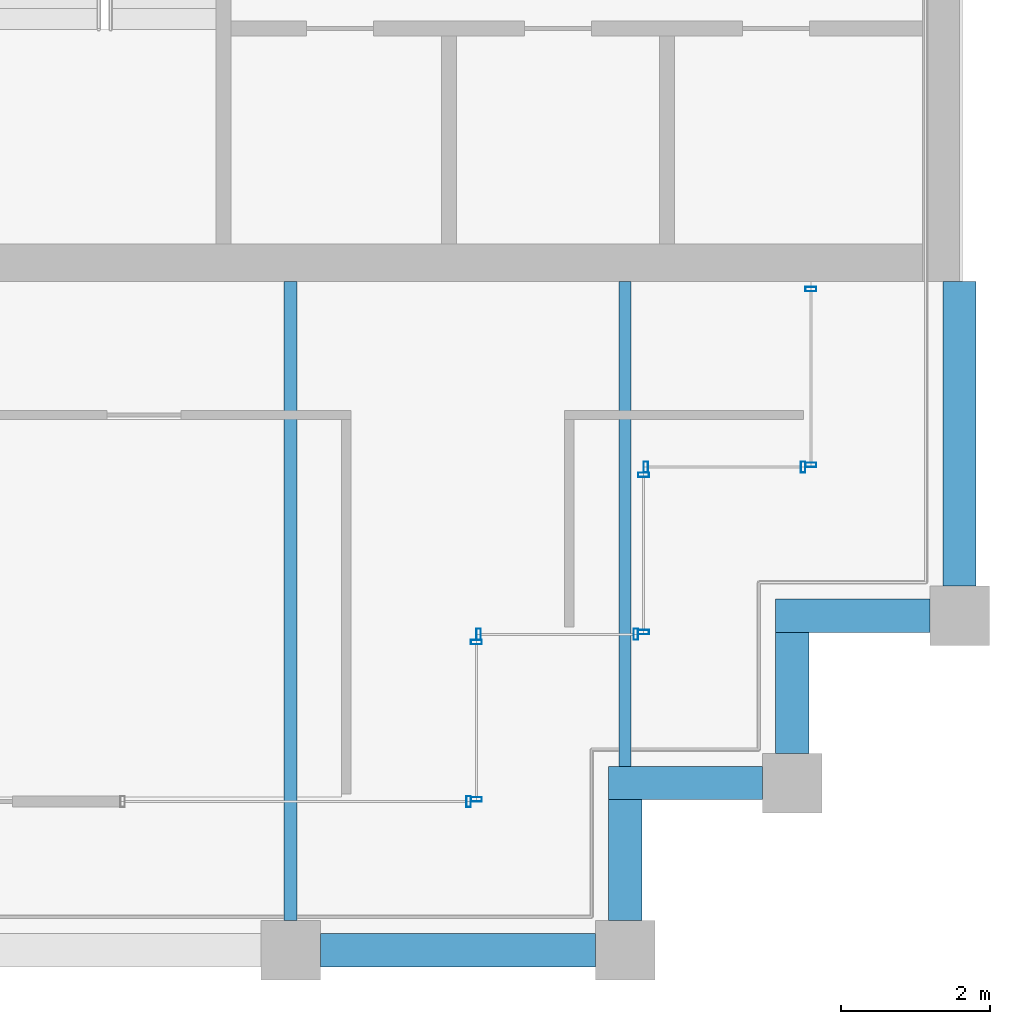
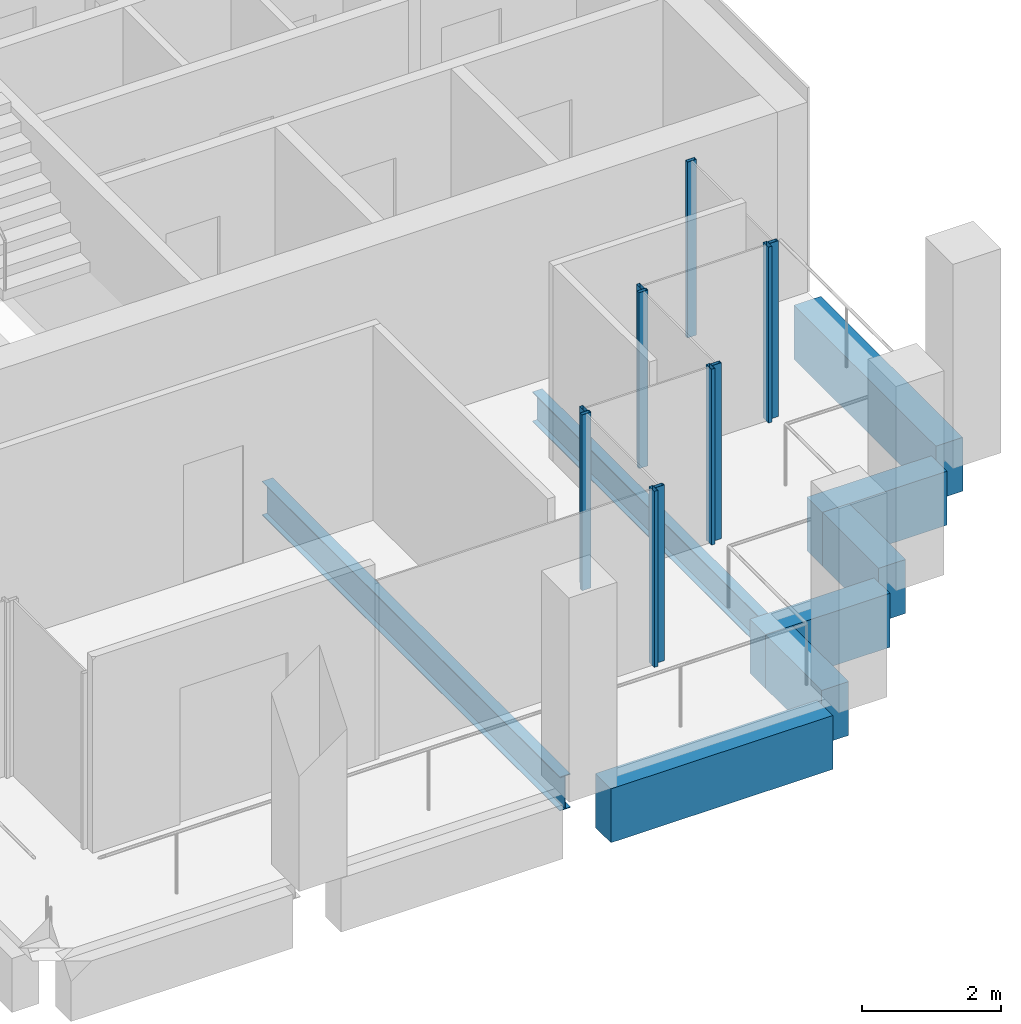
# One storey, part 31 of 40: 11 members, 8 beams, 6 elements without a shape of their own.
"""IFC4 building model written with IfcOpenShell, lengths in metres."""

import ifcopenshell
import ifcopenshell.guid

model = None  # the IFC model being written
_history = None  # IfcOwnerHistory: only IFC2X3 demands one
_inside = {}  # id of a spatial element -> (the spatial element, [elements in it])
_under = {}  # id of a project, library or spatial element -> (it, [spatial elements below it])
_declared = {}  # id of a project -> (the project, [libraries it declares])
_typed = {}  # id of a type object -> (the type object, [elements of that type])
_made_of = {}  # id of a material, layer set ... -> (it, [elements and type objects made of it])


def new_model(schema):
    """Start an empty IFC model of exactly this schema.

    Asked for "IFC4X3", IfcOpenShell would pick the latest addendum, in which some entities
    have other attributes; the version numbers below select the first issue.
    IFC2X3 requires an IfcOwnerHistory on every rooted entity: one is made here for all.
    """
    global model, _history
    if schema == "IFC4X3":
        model = ifcopenshell.file(schema_version=(4, 3, 0, 0))
    else:
        model = ifcopenshell.file(schema=schema)
    _inside.clear()
    _under.clear()
    _declared.clear()
    _typed.clear()
    _made_of.clear()
    _history = None
    if model.schema == "IFC2X3":
        org = make("IfcOrganization", Name="unknown")
        user = make(
            "IfcPersonAndOrganization",
            ThePerson=make("IfcPerson", FamilyName="unknown"),
            TheOrganization=org,
        )
        app = make(
            "IfcApplication",
            ApplicationDeveloper=org,
            Version="unknown",
            ApplicationFullName="unknown",
            ApplicationIdentifier="unknown",
        )
        _history = make(
            "IfcOwnerHistory",
            OwningUser=user,
            OwningApplication=app,
            ChangeAction="ADDED",
            CreationDate=0,
        )
    return model


def make(cls, **values):
    """One entity of the class cls with the attributes given. An attribute that is None is left unset."""
    return model.create_entity(
        cls, **{name: value for name, value in values.items() if value is not None}
    )


def rooted(cls, **values):
    """An entity with a GlobalId (a new one), such as an element, a storey or a relation."""
    return make(cls, GlobalId=ifcopenshell.guid.new(), OwnerHistory=_history, **values)


def si_unit(unit_type, name, prefix=None):
    """IfcSIUnit, for example si_unit("LENGTHUNIT", "METRE", prefix="MILLI")."""
    return make("IfcSIUnit", UnitType=unit_type, Prefix=prefix, Name=name)


def assignment(units):
    """IfcUnitAssignment: the units of a project."""
    return None if units is None else make("IfcUnitAssignment", Units=units)


def point(xyz):
    """IfcCartesianPoint."""
    return None if xyz is None else make("IfcCartesianPoint", Coordinates=xyz)


def direction(xyz):
    """IfcDirection."""
    return None if xyz is None else make("IfcDirection", DirectionRatios=xyz)


def frame(location, z_axis=None, x_axis=None):
    """IfcAxis2Placement3D, a coordinate frame: its origin and axes. An axis left out is left unset."""
    return make(
        "IfcAxis2Placement3D",
        Location=point(location),
        Axis=direction(z_axis),
        RefDirection=direction(x_axis),
    )


def frame_2d(location, x_axis=None):
    """IfcAxis2Placement2D, a coordinate frame in the plane: its origin and x axis."""
    return make(
        "IfcAxis2Placement2D", Location=point(location), RefDirection=direction(x_axis)
    )


def origin():
    """The frame at (0, 0, 0) with its axes left unset."""
    return frame((0.0, 0.0, 0.0))


def origin_2d():
    """The frame at (0, 0) in the plane with its x axis left unset."""
    return frame_2d((0.0, 0.0))


def place(relative_to, where):
    """IfcLocalPlacement: puts the frame where relative to a parent placement (None: the world)."""
    return make(
        "IfcLocalPlacement", PlacementRelTo=relative_to, RelativePlacement=where
    )


def context(
    kind, dimensions, precision=None, world=None, true_north=None, identifier=None
):
    """IfcGeometricRepresentationContext, for example the 3D "Model" context."""
    return make(
        "IfcGeometricRepresentationContext",
        ContextIdentifier=identifier,
        ContextType=kind,
        CoordinateSpaceDimension=dimensions,
        Precision=precision,
        WorldCoordinateSystem=world,
        TrueNorth=true_north,
    )


def subcontext(parent, identifier, kind, view, scale=None):
    """IfcGeometricRepresentationSubContext, for example "Body" below "Model"."""
    return make(
        "IfcGeometricRepresentationSubContext",
        ContextIdentifier=identifier,
        ContextType=kind,
        ParentContext=parent,
        TargetScale=scale,
        TargetView=view,
    )


def project(units=None, contexts=None):
    """IfcProject with its units and contexts."""
    return rooted(
        "IfcProject",
        Name="project",
        RepresentationContexts=contexts,
        UnitsInContext=assignment(units),
    )


def spatial(cls, under=None, at=None, **own):
    """A site, building, storey or space (cls), placed at a placement, below another one or the project."""
    s = rooted(cls, ObjectPlacement=at, **own)
    if under is not None:
        _under.setdefault(under.id(), (under, []))[1].append(s)
    return s


def profile(cls, at=None, kind="AREA", **sizes):
    """A parametric profile (cls). Its sizes go by their IFC names, for example OverallWidth=200.0."""
    return make(cls, ProfileType=kind, Position=at, **sizes)


def rectangle(**sizes):
    """IfcRectangleProfileDef."""
    return profile("IfcRectangleProfileDef", **sizes)


def hollow_rectangle(**sizes):
    """IfcRectangleHollowProfileDef."""
    return profile("IfcRectangleHollowProfileDef", **sizes)


def i_section(**sizes):
    """IfcIShapeProfileDef."""
    return profile("IfcIShapeProfileDef", **sizes)


def extrude(swept, where, along, depth):
    """IfcExtrudedAreaSolid: the profile swept, set in the frame where, extruded along a direction by depth."""
    return make(
        "IfcExtrudedAreaSolid",
        SweptArea=swept,
        Position=where,
        ExtrudedDirection=direction(along),
        Depth=depth,
    )


def shape(context_of_items, identifier, shape_type, items):
    """IfcShapeRepresentation: the items that make up one representation, for example the "Body"."""
    return make(
        "IfcShapeRepresentation",
        ContextOfItems=context_of_items,
        RepresentationIdentifier=identifier,
        RepresentationType=shape_type,
        Items=items,
    )


def material(Name=None, Category=None):
    """IfcMaterial."""
    return make("IfcMaterial", Name=Name, Category=Category)


def material_profile(
    of_material, cross_section, Name=None, Category=None, Priority=None
):
    """IfcMaterialProfile: a cross section and its material."""
    return make(
        "IfcMaterialProfile",
        Name=Name,
        Material=of_material,
        Profile=cross_section,
        Priority=Priority,
        Category=Category,
    )


def profile_set(profiles, Name=None, composite=None):
    """IfcMaterialProfileSet."""
    return make(
        "IfcMaterialProfileSet",
        Name=Name,
        MaterialProfiles=profiles,
        CompositeProfile=composite,
    )


def made_of(thing, what):
    """Note that an element or type object is made of a material, layer set ...; save() writes the relation."""
    if what is not None:
        _made_of.setdefault(what.id(), (what, []))[1].append(thing)
    return thing


def type_object(cls, material=None, **own):
    """A type object (cls), such as IfcWallType, which elements share."""
    return made_of(rooted(cls, **own), material)


def element(
    cls,
    number,
    at=None,
    inside=None,
    cuts=None,
    type_object=None,
    material=None,
    context=None,
    identifier="Body",
    shape_type=None,
    held_by="IfcProductDefinitionShape",
    body=None,
    shapes=None,
    **own,
):
    """One element of the class cls, such as IfcWall. Its Tag is "e" and its number.

    at: its placement. inside: the storey or other place that contains it. cuts: it is an
    opening in that element (IfcRelVoidsElement). A single representation is given by context,
    identifier, shape_type and body (its items); several are given by shapes. held_by: the class
    of the entity that holds the representations. save() writes the other relations.
    """
    e = rooted(cls, Tag="e%d" % number, ObjectPlacement=at, **own)
    if body is not None:
        shapes = [shape(context, identifier, shape_type, body)]
    if shapes is not None:
        e.Representation = make(held_by, Representations=shapes)
    if inside is not None:
        _inside.setdefault(inside.id(), (inside, []))[1].append(e)
    if cuts is not None:
        rooted(
            "IfcRelVoidsElement", RelatingBuildingElement=cuts, RelatedOpeningElement=e
        )
    if type_object is not None:
        _typed.setdefault(type_object.id(), (type_object, []))[1].append(e)
    return made_of(e, material)


def aggregate(whole, parts):
    """IfcRelAggregates: a whole, such as a stair, and the parts it consists of."""
    return rooted("IfcRelAggregates", RelatingObject=whole, RelatedObjects=parts)


def save(model, path):
    """Write the relations noted so far, then the file.

    IfcRelAggregates (storeys below a building ...), IfcRelContainedInSpatialStructure (elements
    in a storey), IfcRelDefinesByType, IfcRelAssociatesMaterial and IfcRelDeclares: one each for
    every whole, place, type object, material and project.
    """
    for whole, parts in _under.values():
        aggregate(whole, parts)
    for where, things in _inside.values():
        rooted(
            "IfcRelContainedInSpatialStructure",
            RelatedElements=things,
            RelatingStructure=where,
        )
    for kind, things in _typed.values():
        rooted("IfcRelDefinesByType", RelatedObjects=things, RelatingType=kind)
    for what, things in _made_of.values():
        rooted("IfcRelAssociatesMaterial", RelatedObjects=things, RelatingMaterial=what)
    for by, libraries in _declared.values():
        rooted("IfcRelDeclares", RelatingContext=by, RelatedDefinitions=libraries)
    model.write(path)


model = new_model("IFC4")

# Units and contexts
model_context = context("Model", 3, precision=1e-05, world=origin(), true_north=direction((0.0, 1.0)))
body_context = subcontext(model_context, "Body", "Model", "MODEL_VIEW")
ifc_project = project(units=[si_unit("LENGTHUNIT", "METRE"), si_unit("AREAUNIT", "SQUARE_METRE"), si_unit("VOLUMEUNIT", "CUBIC_METRE"), si_unit("PLANEANGLEUNIT", "RADIAN"), si_unit("MASSUNIT", "GRAM", prefix="KILO")], contexts=[model_context])

# Site, building, storey
site_placement = place(None, origin())
site = spatial("IfcSite", under=ifc_project, at=site_placement, CompositionType="ELEMENT")
building_placement = place(site_placement, origin())
building = spatial("IfcBuilding", under=site, at=building_placement, Name="Altepetl Exchange Towers", CompositionType="ELEMENT")
storey_placement = place(building_placement, frame((0.0, 0.0, 202.800048828125)))
storey = spatial("IfcBuildingStorey", under=building, at=storey_placement, Name="L51", CompositionType="ELEMENT", Elevation=202.800048828125)

# Beams
ifc_material_1 = material(Name="Steel S355", Category="steel")
ifc_material_profile_1 = material_profile(ifc_material_1, i_section(OverallWidth=0.166015625, OverallDepth=0.529052734375, WebThickness=0.009765625, FlangeThickness=0.013671875, at=origin_2d()), Name="W21X50")
ifc_profile_set_1 = profile_set([ifc_material_profile_1], Name="Steel S355")
beam_type_1 = type_object("IfcBeamType", Name="Floor beam W21X50", PredefinedType="BEAM", material=ifc_profile_set_1)
beam_1_placement = place(storey_placement, frame((112.5, 29.47509765625, -0.41455078125), z_axis=(0.0, 1.0, 0.0), x_axis=(-1.0, 0.0, 0.0)))
element("IfcBeam", 1, at=beam_1_placement, inside=storey, type_object=beam_type_1, Name="bm:B:L51:003", PredefinedType="BEAM", context=body_context, shape_type="SweptSolid", body=[
    extrude(i_section(OverallWidth=0.166015625, OverallDepth=0.529052734375, WebThickness=0.009765625, FlangeThickness=0.013671875, at=origin_2d()), origin(), (0.0, 0.0, 1.0), 6.52490234375),
])
ifc_material_profile_2 = material_profile(ifc_material_1, i_section(OverallWidth=0.177978515625, OverallDepth=0.59912109375, WebThickness=0.010009765625, FlangeThickness=0.0126953125, at=origin_2d()), Name="W24X55")
ifc_profile_set_2 = profile_set([ifc_material_profile_2], Name="Steel S355")
beam_type_2 = type_object("IfcBeamType", Name="Floor beam W24X55", PredefinedType="BEAM", material=ifc_profile_set_2)
beam_2_placement = place(storey_placement, frame((108.0, 27.39990234375, -0.449462890625), z_axis=(0.0, 1.0, 0.0), x_axis=(-1.0, 0.0, 0.0)))
element("IfcBeam", 2, at=beam_2_placement, inside=storey, type_object=beam_type_2, Name="bm:B:L51:002", PredefinedType="BEAM", context=body_context, shape_type="SweptSolid", body=[
    extrude(i_section(OverallWidth=0.177978515625, OverallDepth=0.59912109375, WebThickness=0.010009765625, FlangeThickness=0.0126953125, at=origin_2d()), origin(), (0.0, 0.0, 1.0), 8.60009765625),
])

# Curtain wall, member
ifc_material_2 = material(Name="Aluminium 6063-T6 glazing", Category="aluminium")
curtain_wall_type = type_object("IfcCurtainWallType", Name="Loggia glazing system", PredefinedType="NOTDEFINED", material=ifc_material_2)
curtain_wall_1_placement = place(storey_placement, origin())
curtain_wall_1 = element("IfcCurtainWall", 3, at=curtain_wall_1_placement, inside=storey, type_object=curtain_wall_type, Name="CW1 run", PredefinedType="NOTDEFINED")
ifc_material_3 = material(Name="Aluminium 6063-T6", Category="aluminium")
ifc_material_profile_3 = material_profile(ifc_material_3, hollow_rectangle(XDim=0.06005859375, YDim=0.14990234375, WallThickness=0.0029296875, at=origin_2d()), Name="Mullion 60x150 aluminium")
ifc_profile_set_3 = profile_set([ifc_material_profile_3], Name="Aluminium 6063-T6")
member_type = type_object("IfcMemberType", Name="Mullion 60x150 aluminium", PredefinedType="MULLION", material=ifc_profile_set_3)
member_1_placement = place(storey_placement, frame((110.39501953125, 29.0, 0.0)))
member_1 = element("IfcMember", 4, at=member_1_placement, type_object=member_type, Name="MU1 mullion", PredefinedType="MULLION", context=body_context, shape_type="SweptSolid", body=[
    extrude(hollow_rectangle(XDim=0.06005859375, YDim=0.14990234375, WallThickness=0.0029296875, at=origin_2d()), origin(), (0.0, 0.0, 1.0), 3.099853515625),
])
aggregate(curtain_wall_1, [member_1])

# Curtain wall, members
curtain_wall_2_placement = place(storey_placement, origin())
curtain_wall_2 = element("IfcCurtainWall", 5, at=curtain_wall_2_placement, inside=storey, type_object=curtain_wall_type, Name="CW1 run", PredefinedType="NOTDEFINED")
member_2_placement = place(storey_placement, frame((110.5, 29.030029296875, 0.0), z_axis=(0.0, 0.0, 1.0), x_axis=(0.0, 1.0, 0.0)))
member_2 = element("IfcMember", 6, at=member_2_placement, type_object=member_type, Name="MU1 mullion", PredefinedType="MULLION", context=body_context, shape_type="SweptSolid", body=[
    extrude(hollow_rectangle(XDim=0.06005859375, YDim=0.14990234375, WallThickness=0.0029296875, at=origin_2d()), origin(), (0.0, 0.0, 1.0), 3.099853515625),
])
member_3_placement = place(storey_placement, frame((110.5, 31.14501953125, 0.0), z_axis=(0.0, 0.0, 1.0), x_axis=(0.0, 1.0, 0.0)))
member_3 = element("IfcMember", 7, at=member_3_placement, type_object=member_type, Name="MU1 mullion", PredefinedType="MULLION", context=body_context, shape_type="SweptSolid", body=[
    extrude(hollow_rectangle(XDim=0.06005859375, YDim=0.14990234375, WallThickness=0.0029296875, at=origin_2d()), origin(), (0.0, 0.0, 1.0), 3.099853515625),
])
aggregate(curtain_wall_2, [member_2, member_3])

curtain_wall_3_placement = place(storey_placement, origin())
curtain_wall_3 = element("IfcCurtainWall", 8, at=curtain_wall_3_placement, inside=storey, type_object=curtain_wall_type, Name="CW1 run", PredefinedType="NOTDEFINED")
member_4_placement = place(storey_placement, frame((110.530029296875, 31.25, 0.0)))
member_4 = element("IfcMember", 9, at=member_4_placement, type_object=member_type, Name="MU1 mullion", PredefinedType="MULLION", context=body_context, shape_type="SweptSolid", body=[
    extrude(hollow_rectangle(XDim=0.06005859375, YDim=0.14990234375, WallThickness=0.0029296875, at=origin_2d()), origin(), (0.0, 0.0, 1.0), 3.099853515625),
])
member_5_placement = place(storey_placement, frame((112.64501953125, 31.25, 0.0)))
member_5 = element("IfcMember", 10, at=member_5_placement, type_object=member_type, Name="MU1 mullion", PredefinedType="MULLION", context=body_context, shape_type="SweptSolid", body=[
    extrude(hollow_rectangle(XDim=0.06005859375, YDim=0.14990234375, WallThickness=0.0029296875, at=origin_2d()), origin(), (0.0, 0.0, 1.0), 3.099853515625),
])
aggregate(curtain_wall_3, [member_4, member_5])

curtain_wall_4_placement = place(storey_placement, origin())
curtain_wall_4 = element("IfcCurtainWall", 11, at=curtain_wall_4_placement, inside=storey, type_object=curtain_wall_type, Name="CW1 run", PredefinedType="NOTDEFINED")
member_6_placement = place(storey_placement, frame((112.75, 31.280029296875, 0.0), z_axis=(0.0, 0.0, 1.0), x_axis=(0.0, 1.0, 0.0)))
member_6 = element("IfcMember", 12, at=member_6_placement, type_object=member_type, Name="MU1 mullion", PredefinedType="MULLION", context=body_context, shape_type="SweptSolid", body=[
    extrude(hollow_rectangle(XDim=0.06005859375, YDim=0.14990234375, WallThickness=0.0029296875, at=origin_2d()), origin(), (0.0, 0.0, 1.0), 3.099853515625),
])
member_7_placement = place(storey_placement, frame((112.75, 33.39501953125, 0.0), z_axis=(0.0, 0.0, 1.0), x_axis=(0.0, 1.0, 0.0)))
member_7 = element("IfcMember", 13, at=member_7_placement, type_object=member_type, Name="MU1 mullion", PredefinedType="MULLION", context=body_context, shape_type="SweptSolid", body=[
    extrude(hollow_rectangle(XDim=0.06005859375, YDim=0.14990234375, WallThickness=0.0029296875, at=origin_2d()), origin(), (0.0, 0.0, 1.0), 3.099853515625),
])
aggregate(curtain_wall_4, [member_6, member_7])

curtain_wall_5_placement = place(storey_placement, origin())
curtain_wall_5 = element("IfcCurtainWall", 14, at=curtain_wall_5_placement, inside=storey, type_object=curtain_wall_type, Name="CW1 run", PredefinedType="NOTDEFINED")
member_8_placement = place(storey_placement, frame((112.780029296875, 33.5, 0.0)))
member_8 = element("IfcMember", 15, at=member_8_placement, type_object=member_type, Name="MU1 mullion", PredefinedType="MULLION", context=body_context, shape_type="SweptSolid", body=[
    extrude(hollow_rectangle(XDim=0.06005859375, YDim=0.14990234375, WallThickness=0.0029296875, at=origin_2d()), origin(), (0.0, 0.0, 1.0), 3.099853515625),
])
member_9_placement = place(storey_placement, frame((114.89501953125, 33.5, 0.0)))
member_9 = element("IfcMember", 16, at=member_9_placement, type_object=member_type, Name="MU1 mullion", PredefinedType="MULLION", context=body_context, shape_type="SweptSolid", body=[
    extrude(hollow_rectangle(XDim=0.06005859375, YDim=0.14990234375, WallThickness=0.0029296875, at=origin_2d()), origin(), (0.0, 0.0, 1.0), 3.099853515625),
])
aggregate(curtain_wall_5, [member_8, member_9])

curtain_wall_6_placement = place(storey_placement, origin())
curtain_wall_6 = element("IfcCurtainWall", 17, at=curtain_wall_6_placement, inside=storey, type_object=curtain_wall_type, Name="CW1 run", PredefinedType="NOTDEFINED")
member_10_placement = place(storey_placement, frame((115.0, 33.530029296875, 0.0), z_axis=(0.0, 0.0, 1.0), x_axis=(0.0, 1.0, 0.0)))
member_10 = element("IfcMember", 18, at=member_10_placement, type_object=member_type, Name="MU1 mullion", PredefinedType="MULLION", context=body_context, shape_type="SweptSolid", body=[
    extrude(hollow_rectangle(XDim=0.06005859375, YDim=0.14990234375, WallThickness=0.0029296875, at=origin_2d()), origin(), (0.0, 0.0, 1.0), 3.099853515625),
])
member_11_placement = place(storey_placement, frame((115.0, 35.89501953125, 0.0), z_axis=(0.0, 0.0, 1.0), x_axis=(0.0, 1.0, 0.0)))
member_11 = element("IfcMember", 19, at=member_11_placement, type_object=member_type, Name="MU1 mullion", PredefinedType="MULLION", context=body_context, shape_type="SweptSolid", body=[
    extrude(hollow_rectangle(XDim=0.06005859375, YDim=0.14990234375, WallThickness=0.0029296875, at=origin_2d()), origin(), (0.0, 0.0, 1.0), 3.099853515625),
])
aggregate(curtain_wall_6, [member_10, member_11])

# Beams
ifc_material_4 = material(Name="Concrete C50/60 precast with cantera blanca facing", Category="concrete")
ifc_material_profile_4 = material_profile(ifc_material_4, rectangle(XDim=0.449951171875, YDim=0.949951171875, at=origin_2d()), Name="450 x 950")
ifc_profile_set_4 = profile_set([ifc_material_profile_4], Name="Concrete C50/60 precast with cantera blanca facing")
beam_type_3 = type_object("IfcBeamType", Name="Spandrel beam 450x950 cantera blanca", PredefinedType="SPANDREL", material=ifc_profile_set_4)
beam_3_placement = place(storey_placement, frame((117.0, 31.89990234375, -0.625), z_axis=(0.0, 1.0, 0.0), x_axis=(-1.0, 0.0, 0.0)))
element("IfcBeam", 20, at=beam_3_placement, inside=storey, type_object=beam_type_3, Name="sp:B:L51:007", PredefinedType="SPANDREL", context=body_context, shape_type="SweptSolid", body=[
    extrude(rectangle(XDim=0.449951171875, YDim=0.949951171875, at=origin_2d()), origin(), (0.0, 0.0, 1.0), 4.10009765625),
])
ifc_material_5 = material(Name="Concrete C50/60 precast with tezontle facing", Category="concrete")
ifc_material_profile_5 = material_profile(ifc_material_5, rectangle(XDim=0.449951171875, YDim=0.949951171875, at=origin_2d()), Name="450 x 950")
ifc_profile_set_5 = profile_set([ifc_material_profile_5], Name="Concrete C50/60 precast with tezontle facing")
beam_type_4 = type_object("IfcBeamType", Name="Spandrel beam 450x950 tezontle", PredefinedType="SPANDREL", material=ifc_profile_set_5)
beam_4_placement = place(storey_placement, frame((108.39990234375, 27.0, -0.625), z_axis=(1.0, 0.0, 0.0), x_axis=(0.0, 1.0, 0.0)))
element("IfcBeam", 21, at=beam_4_placement, inside=storey, type_object=beam_type_4, Name="sp:B:L51:002", PredefinedType="SPANDREL", context=body_context, shape_type="SweptSolid", body=[
    extrude(rectangle(XDim=0.449951171875, YDim=0.949951171875, at=origin_2d()), origin(), (0.0, 0.0, 1.0), 3.7001953125),
])
beam_5_placement = place(storey_placement, frame((112.5, 27.39990234375, -0.625), z_axis=(0.0, 1.0, 0.0), x_axis=(-1.0, 0.0, 0.0)))
element("IfcBeam", 22, at=beam_5_placement, inside=storey, type_object=beam_type_4, Name="sp:B:L51:003", PredefinedType="SPANDREL", context=body_context, shape_type="SweptSolid", body=[
    extrude(rectangle(XDim=0.449951171875, YDim=0.949951171875, at=origin_2d()), origin(), (0.0, 0.0, 1.0), 1.625),
])
beam_6_placement = place(storey_placement, frame((112.27490234375, 29.25, -0.625), z_axis=(1.0, 0.0, 0.0), x_axis=(0.0, 1.0, 0.0)))
element("IfcBeam", 23, at=beam_6_placement, inside=storey, type_object=beam_type_4, Name="sp:B:L51:004", PredefinedType="SPANDREL", context=body_context, shape_type="SweptSolid", body=[
    extrude(rectangle(XDim=0.449951171875, YDim=0.949951171875, at=origin_2d()), origin(), (0.0, 0.0, 1.0), 2.0751953125),
])
beam_7_placement = place(storey_placement, frame((114.75, 29.64990234375, -0.625), z_axis=(0.0, 1.0, 0.0), x_axis=(-1.0, 0.0, 0.0)))
element("IfcBeam", 24, at=beam_7_placement, inside=storey, type_object=beam_type_4, Name="sp:B:L51:005", PredefinedType="SPANDREL", context=body_context, shape_type="SweptSolid", body=[
    extrude(rectangle(XDim=0.449951171875, YDim=0.949951171875, at=origin_2d()), origin(), (0.0, 0.0, 1.0), 1.625),
])
beam_8_placement = place(storey_placement, frame((114.52490234375, 31.5, -0.625), z_axis=(1.0, 0.0, 0.0), x_axis=(0.0, 1.0, 0.0)))
element("IfcBeam", 25, at=beam_8_placement, inside=storey, type_object=beam_type_4, Name="sp:B:L51:006", PredefinedType="SPANDREL", context=body_context, shape_type="SweptSolid", body=[
    extrude(rectangle(XDim=0.449951171875, YDim=0.949951171875, at=origin_2d()), origin(), (0.0, 0.0, 1.0), 2.0751953125),
])

save(model, "model.ifc")
